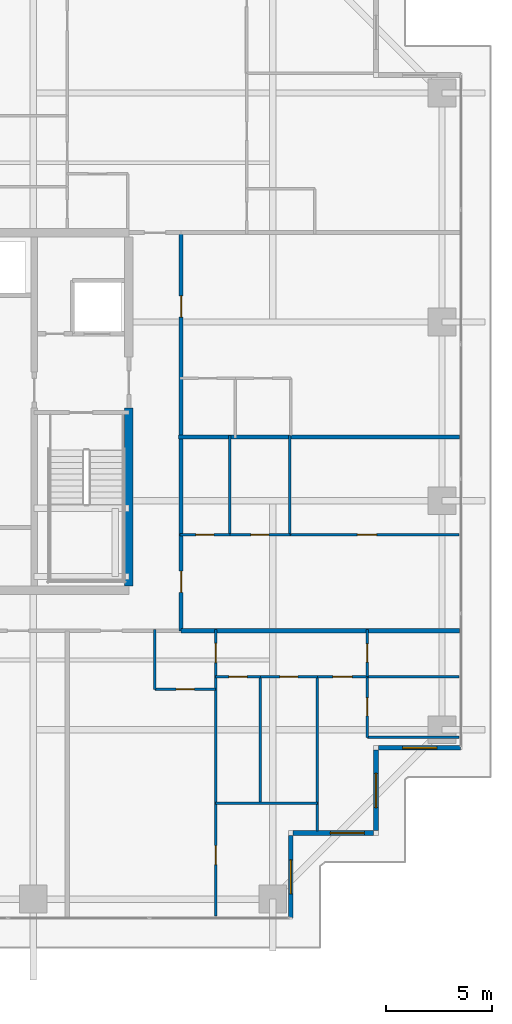
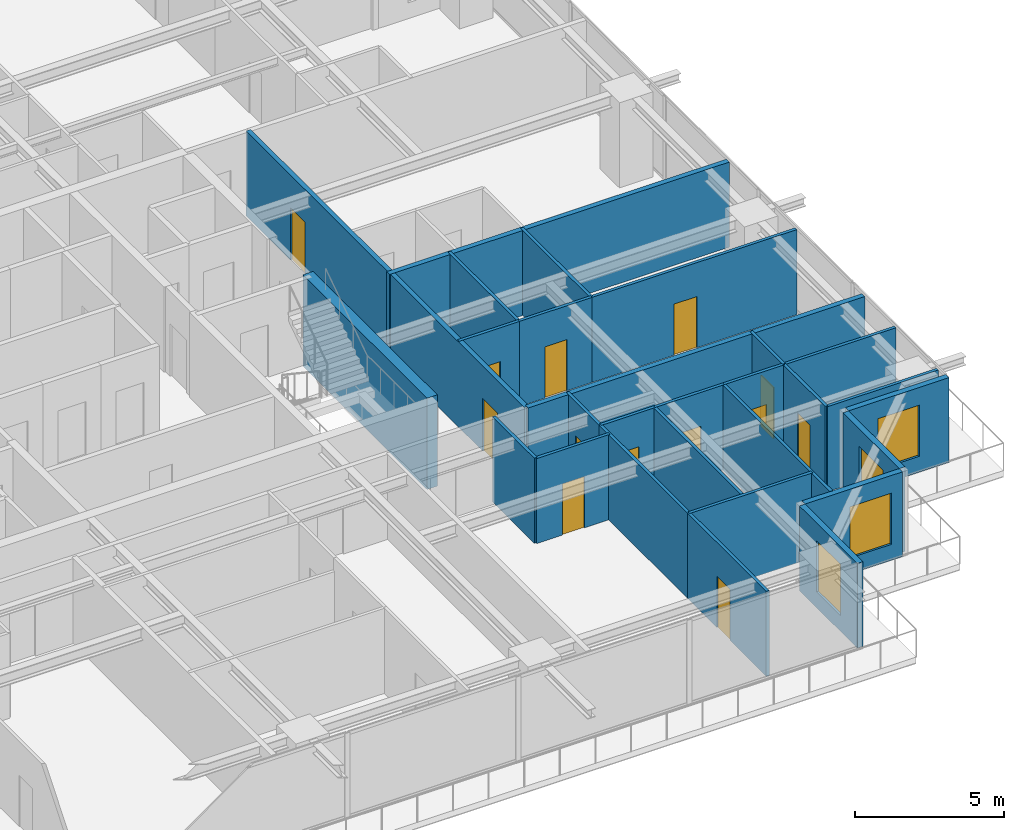
# One storey, part 29 of 38: 28 walls, 13 doors, 4 windows, 17 openings.
"""IFC4 building model written with IfcOpenShell, lengths in metres."""

from ifc_helpers import new_model, si_unit, direction, frame, frame_2d, origin, place, context, subcontext, project, spatial, rectangle, extrude, source, transform, mapped, material, layer, layer_set, type_object, element, fill, save


model = new_model("IFC4")

# Units and contexts
model_context = context("Model", 3, precision=1e-05, world=origin(), true_north=direction((0.0, 1.0)))
body_context = subcontext(model_context, "Body", "Model", "MODEL_VIEW")
ifc_project = project(units=[si_unit("LENGTHUNIT", "METRE"), si_unit("AREAUNIT", "SQUARE_METRE"), si_unit("VOLUMEUNIT", "CUBIC_METRE"), si_unit("PLANEANGLEUNIT", "RADIAN"), si_unit("MASSUNIT", "GRAM", prefix="KILO")], contexts=[model_context])

# Site, building, storey
site_placement = place(None, origin())
site = spatial("IfcSite", under=ifc_project, at=site_placement, CompositionType="ELEMENT")
building_placement = place(site_placement, origin())
building = spatial("IfcBuilding", under=site, at=building_placement, Name="Serunith Strait Residences", CompositionType="ELEMENT")
storey_placement = place(building_placement, frame((0.0, 0.0, 183.89990234375)))
storey = spatial("IfcBuildingStorey", under=building, at=storey_placement, Name="L46", CompositionType="ELEMENT", Elevation=183.89990234375)

# Wall, opening, window
ifc_material_1 = material(Name="Pale-Champagne Aluminium Insulated Panel", Category="aluminium")
ifc_layer_1 = layer(ifc_material_1, 0.219970703125, Name="Pale-Champagne Aluminium Insulated Panel")
ifc_layer_set_1 = layer_set([ifc_layer_1], Name="Pale-Champagne Aluminium Insulated Panel")
wall_type_1 = type_object("IfcWallType", Name="EW-ALUM-220", PredefinedType="ELEMENTEDWALL", material=ifc_layer_set_1)
wall_1_placement = place(storey_placement, frame((49.0, 1.39990234375, 0.0), z_axis=(0.0, 0.0, 1.0), x_axis=(0.0, 1.0, 0.0)))
wall_1 = element("IfcWall", 1, at=wall_1_placement, inside=storey, type_object=wall_type_1, Name="L46 Girih Serrated Corner Wall 02", PredefinedType="ELEMENTEDWALL", context=body_context, shape_type="SweptSolid", body=[
    extrude(rectangle(XDim=3.89013671875, YDim=0.219970703125, at=frame_2d((1.945068359375, 0.0))), origin(), (0.0, 0.0, 1.0), 3.47509765625),
])
opening_1_placement = place(wall_1_placement, frame((1.14501953125, 0.0, 0.64990234375)))
opening_1 = element("IfcOpeningElement", 2, at=opening_1_placement, cuts=wall_1, Name="Opening W-02", PredefinedType="OPENING", context=body_context, shape_type="SweptSolid", body=[
    extrude(rectangle(XDim=1.60009765625, YDim=2.10009765625, at=frame_2d((0.800048828125, 1.050048828125))), frame((0.0, 0.1201171875, 0.0), z_axis=(0.0, -1.0, 0.0), x_axis=(1.0, 0.0, 0.0)), (0.0, 0.0, 1.0), 0.239990234375),
])
ifc_material_2 = material(Name="Ceramic-Fritted Operable Aluminium Window Glass", Category="aluminium")
window_type = type_object("IfcWindowType", Name="WIN-C2", PartitioningType="DOUBLE_PANEL_VERTICAL", PredefinedType="WINDOW", material=ifc_material_2)
shared_shape_1 = source(origin(), body_context, "Body", "SweptSolid", [
    extrude(rectangle(XDim=1.60009765625, YDim=2.10009765625, at=frame_2d((0.800048828125, 1.050048828125))), frame((0.0, 0.030029296875, 0.0), z_axis=(0.0, -1.0, 0.0), x_axis=(1.0, 0.0, 0.0)), (0.0, 0.0, 1.0), 0.06005859375),
])
window_1_placement = place(opening_1_placement, origin())
window_1 = element("IfcWindow", 3, at=window_1_placement, inside=storey, type_object=window_type, Name="L46 Corner Operable Fritted Window 02", OverallHeight=2.10009765625, OverallWidth=1.60009765625, PartitioningType="SINGLE_PANEL", PredefinedType="WINDOW", context=body_context, shape_type="MappedRepresentation", body=[
    mapped(shared_shape_1, transform((0.0, 0.0, 0.0), scale=1.0)),
])
fill(opening_1, window_1)

wall_2_placement = place(storey_placement, frame((49.110107421875, 5.39990234375, 0.0), z_axis=(0.0, 0.0, 1.0), x_axis=(1.0, 0.0, 0.0)))
wall_2 = element("IfcWall", 4, at=wall_2_placement, inside=storey, type_object=wall_type_1, Name="L46 Girih Serrated Corner Wall 03", PredefinedType="ELEMENTEDWALL", context=body_context, shape_type="SweptSolid", body=[
    extrude(rectangle(XDim=3.77978515625, YDim=0.219970703125, at=frame_2d((1.889892578125, 0.0))), origin(), (0.0, 0.0, 1.0), 3.47509765625),
])
opening_2_placement = place(wall_2_placement, frame((1.743896484375, 0.0, 0.64990234375)))
opening_2 = element("IfcOpeningElement", 5, at=opening_2_placement, cuts=wall_2, Name="Opening W-02", PredefinedType="OPENING", context=body_context, shape_type="SweptSolid", body=[
    extrude(rectangle(XDim=1.60009765625, YDim=2.10009765625, at=frame_2d((0.800048828125, 1.050048828125))), frame((0.0, 0.1201171875, 0.0), z_axis=(0.0, -1.0, 0.0), x_axis=(1.0, 0.0, 0.0)), (0.0, 0.0, 1.0), 0.239990234375),
])
window_2_placement = place(opening_2_placement, origin())
window_2 = element("IfcWindow", 6, at=window_2_placement, inside=storey, type_object=window_type, Name="L46 Corner Operable Fritted Window 03", OverallHeight=2.10009765625, OverallWidth=1.60009765625, PartitioningType="SINGLE_PANEL", PredefinedType="WINDOW", context=body_context, shape_type="MappedRepresentation", body=[
    mapped(shared_shape_1, transform((0.0, 0.0, 0.0), scale=1.0)),
])
fill(opening_2, window_2)

wall_3_placement = place(storey_placement, frame((53.0, 5.510009765625, 0.0), z_axis=(0.0, 0.0, 1.0), x_axis=(0.0, 1.0, 0.0)))
wall_3 = element("IfcWall", 7, at=wall_3_placement, inside=storey, type_object=wall_type_1, Name="L46 Girih Serrated Corner Wall 04", PredefinedType="ELEMENTEDWALL", context=body_context, shape_type="SweptSolid", body=[
    extrude(rectangle(XDim=3.780029296875, YDim=0.219970703125, at=frame_2d((1.89013671875, 0.0))), origin(), (0.0, 0.0, 1.0), 3.47509765625),
])
opening_3_placement = place(wall_3_placement, frame((1.090087890625, 0.0, 0.64990234375)))
opening_3 = element("IfcOpeningElement", 8, at=opening_3_placement, cuts=wall_3, Name="Opening W-02", PredefinedType="OPENING", context=body_context, shape_type="SweptSolid", body=[
    extrude(rectangle(XDim=1.60009765625, YDim=2.10009765625, at=frame_2d((0.800048828125, 1.050048828125))), frame((0.0, 0.1201171875, 0.0), z_axis=(0.0, -1.0, 0.0), x_axis=(1.0, 0.0, 0.0)), (0.0, 0.0, 1.0), 0.239990234375),
])
window_3_placement = place(opening_3_placement, origin())
window_3 = element("IfcWindow", 9, at=window_3_placement, inside=storey, type_object=window_type, Name="L46 Corner Operable Fritted Window 04", OverallHeight=2.10009765625, OverallWidth=1.60009765625, PartitioningType="SINGLE_PANEL", PredefinedType="WINDOW", context=body_context, shape_type="MappedRepresentation", body=[
    mapped(shared_shape_1, transform((0.0, 0.0, 0.0), scale=1.0)),
])
fill(opening_3, window_3)

wall_4_placement = place(storey_placement, frame((53.110107421875, 9.39990234375, 0.0), z_axis=(0.0, 0.0, 1.0), x_axis=(1.0, 0.0, 0.0)))
wall_4 = element("IfcWall", 10, at=wall_4_placement, inside=storey, type_object=wall_type_1, Name="L46 Girih Serrated Corner Wall 05", PredefinedType="ELEMENTEDWALL", context=body_context, shape_type="SweptSolid", body=[
    extrude(rectangle(XDim=3.889892578125, YDim=0.219970703125, at=frame_2d((1.94482421875, 0.0))), origin(), (0.0, 0.0, 1.0), 3.47509765625),
])
opening_4_placement = place(wall_4_placement, frame((1.14501953125, 0.0, 0.64990234375)))
opening_4 = element("IfcOpeningElement", 11, at=opening_4_placement, cuts=wall_4, Name="Opening W-02", PredefinedType="OPENING", context=body_context, shape_type="SweptSolid", body=[
    extrude(rectangle(XDim=1.60009765625, YDim=2.10009765625, at=frame_2d((0.800048828125, 1.050048828125))), frame((0.0, 0.1201171875, 0.0), z_axis=(0.0, -1.0, 0.0), x_axis=(1.0, 0.0, 0.0)), (0.0, 0.0, 1.0), 0.239990234375),
])
window_4_placement = place(opening_4_placement, origin())
window_4 = element("IfcWindow", 12, at=window_4_placement, inside=storey, type_object=window_type, Name="L46 Corner Operable Fritted Window 05", OverallHeight=2.10009765625, OverallWidth=1.60009765625, PartitioningType="SINGLE_PANEL", PredefinedType="WINDOW", context=body_context, shape_type="MappedRepresentation", body=[
    mapped(shared_shape_1, transform((0.0, 0.0, 0.0), scale=1.0)),
])
fill(opening_4, window_4)

# Wall, openings, doors
ifc_material_3 = material(Name="Fire-rated acoustic gypsum partition")
ifc_layer_2 = layer(ifc_material_3, 0.179931640625, Name="Fire-rated acoustic gypsum partition")
ifc_layer_set_2 = layer_set([ifc_layer_2], Name="Fire-rated acoustic gypsum partition")
wall_type_2 = type_object("IfcWallType", Name="IW-CORR-180", PredefinedType="PARTITIONING", material=ifc_layer_set_2)
wall_5_placement = place(storey_placement, frame((43.85009765625, 14.89990234375, 0.0), z_axis=(0.0, 0.0, 1.0), x_axis=(0.0, 1.0, 0.0)))
wall_5 = element("IfcWall", 13, at=wall_5_placement, inside=storey, type_object=wall_type_2, Name="L46 Partition Wall 025", PredefinedType="PARTITIONING", context=body_context, shape_type="SweptSolid", body=[
    extrude(rectangle(XDim=18.7001953125, YDim=0.179931640625, at=frame_2d((9.35009765625, 0.0))), origin(), (0.0, 0.0, 1.0), 3.489990234375),
])
opening_5_placement = place(wall_5_placement, frame((1.804931640625, 0.0, 0.0)))
opening_5 = element("IfcOpeningElement", 14, at=opening_5_placement, cuts=wall_5, Name="Opening D-APT1000", PredefinedType="OPENING", context=body_context, shape_type="SweptSolid", body=[
    extrude(rectangle(XDim=1.0, YDim=2.14990234375, at=frame_2d((0.5, 1.074951171875))), frame((0.0, 0.10009765625, 0.0), z_axis=(0.0, -1.0, 0.0), x_axis=(1.0, 0.0, 0.0)), (0.0, 0.0, 1.0), 0.199951171875),
])
opening_6_placement = place(wall_5_placement, frame((14.72607421875, 0.0, 0.0)))
opening_6 = element("IfcOpeningElement", 15, at=opening_6_placement, cuts=wall_5, Name="Opening D-APT1000", PredefinedType="OPENING", context=body_context, shape_type="SweptSolid", body=[
    extrude(rectangle(XDim=1.0, YDim=2.14990234375, at=frame_2d((0.5, 1.074951171875))), frame((0.0, 0.10009765625, 0.0), z_axis=(0.0, -1.0, 0.0), x_axis=(1.0, 0.0, 0.0)), (0.0, 0.0, 1.0), 0.199951171875),
])
ifc_material_4 = material(Name="Solid timber engineered fire door", Category="wood")
door_type_1 = type_object("IfcDoorType", Name="ID-APT-1000", OperationType="NOTDEFINED", PredefinedType="DOOR", material=ifc_material_4)
shared_shape_2 = source(origin(), body_context, "Body", "SweptSolid", [
    extrude(rectangle(XDim=1.0, YDim=2.14990234375, at=frame_2d((0.5, 1.074951171875))), frame((0.0, 0.02490234375, 0.0), z_axis=(0.0, -1.0, 0.0), x_axis=(1.0, 0.0, 0.0)), (0.0, 0.0, 1.0), 0.050048828125),
])
door_1_placement = place(opening_5_placement, origin())
door_1 = element("IfcDoor", 16, at=door_1_placement, inside=storey, type_object=door_type_1, Name="L46 Unit 07 Entrance Door", OperationType="SINGLE_SWING_LEFT", OverallHeight=2.14990234375, OverallWidth=1.0, PredefinedType="DOOR", context=body_context, shape_type="MappedRepresentation", body=[
    mapped(shared_shape_2, transform((0.0, 0.0, 0.0), scale=1.0)),
])
fill(opening_5, door_1)
door_2_placement = place(opening_6_placement, origin())
door_2 = element("IfcDoor", 17, at=door_2_placement, inside=storey, type_object=door_type_1, Name="L46 Unit 08 Entrance Door", OperationType="SINGLE_SWING_RIGHT", OverallHeight=2.14990234375, OverallWidth=1.0, PredefinedType="DOOR", context=body_context, shape_type="MappedRepresentation", body=[
    mapped(shared_shape_2, transform((0.0, 0.0, 0.0), scale=1.0)),
])
fill(opening_6, door_2)

# Wall, opening, door
ifc_material_5 = material(Name="Lightweight steel-stud gypsum partition", Category="steel")
ifc_layer_3 = layer(ifc_material_5, 0.1201171875, Name="Lightweight steel-stud gypsum partition")
ifc_layer_set_3 = layer_set([ifc_layer_3], Name="Lightweight steel-stud gypsum partition")
wall_type_3 = type_object("IfcWallType", Name="IW-PART-120", PredefinedType="PARTITIONING", material=ifc_layer_set_3)
wall_6_placement = place(storey_placement, frame((42.6201171875, 12.14990234375, 0.0), z_axis=(0.0, 0.0, 1.0), x_axis=(1.0, 0.0, 0.0)))
wall_6 = element("IfcWall", 18, at=wall_6_placement, inside=storey, type_object=wall_type_3, Name="L46 Partition Wall 050", PredefinedType="PARTITIONING", context=body_context, shape_type="SweptSolid", body=[
    extrude(rectangle(XDim=2.849853515625, YDim=0.1201171875, at=frame_2d((1.4248046875, 0.0))), origin(), (0.0, 0.0, 1.0), 3.489990234375),
])
opening_7_placement = place(wall_6_placement, frame((1.0, 0.0, 0.0)))
opening_7 = element("IfcOpeningElement", 19, at=opening_7_placement, cuts=wall_6, Name="Opening D-RM850", PredefinedType="OPENING", context=body_context, shape_type="SweptSolid", body=[
    extrude(rectangle(XDim=0.85009765625, YDim=2.10009765625, at=frame_2d((0.425048828125, 1.050048828125))), frame((0.0, 0.070068359375, 0.0), z_axis=(0.0, -1.0, 0.0), x_axis=(1.0, 0.0, 0.0)), (0.0, 0.0, 1.0), 0.14013671875),
])
ifc_material_6 = material(Name="Engineered timber flush study and kitchen door", Category="wood")
door_type_2 = type_object("IfcDoorType", Name="ID-ROOM-850", OperationType="NOTDEFINED", PredefinedType="DOOR", material=ifc_material_6)
shared_shape_3 = source(origin(), body_context, "Body", "SweptSolid", [
    extrude(rectangle(XDim=0.85009765625, YDim=2.10009765625, at=frame_2d((0.425048828125, 1.050048828125))), frame((0.0, 0.02490234375, 0.0), z_axis=(0.0, -1.0, 0.0), x_axis=(1.0, 0.0, 0.0)), (0.0, 0.0, 1.0), 0.050048828125),
])
door_3_placement = place(opening_7_placement, origin())
door_3 = element("IfcDoor", 20, at=door_3_placement, inside=storey, type_object=door_type_2, Name="L46 Kitchen 4603 Door", OperationType="SINGLE_SWING_LEFT", OverallHeight=2.10009765625, OverallWidth=0.85009765625, PredefinedType="DOOR", context=body_context, shape_type="MappedRepresentation", body=[
    mapped(shared_shape_3, transform((0.0, 0.0, 0.0), scale=1.0)),
])
fill(opening_7, door_3)

# Wall
wall_7_placement = place(storey_placement, frame((42.6201171875, 12.14990234375, 0.0), z_axis=(0.0, 0.0, 1.0), x_axis=(0.0, 1.0, 0.0)))
element("IfcWall", 21, at=wall_7_placement, inside=storey, type_object=wall_type_3, Name="L46 Partition Wall 051", PredefinedType="PARTITIONING", context=body_context, shape_type="SweptSolid", body=[
    extrude(rectangle(XDim=2.81005859375, YDim=0.1201171875, at=frame_2d((1.405029296875, 0.0))), origin(), (0.0, 0.0, 1.0), 3.489990234375),
])

# Wall, opening, door
wall_8_placement = place(storey_placement, frame((45.469970703125, 12.75, 0.0), z_axis=(0.0, 0.0, 1.0), x_axis=(0.0, 1.0, 0.0)))
wall_8 = element("IfcWall", 22, at=wall_8_placement, inside=storey, type_object=wall_type_3, Name="L46 Partition Wall 052", PredefinedType="PARTITIONING", context=body_context, shape_type="SweptSolid", body=[
    extrude(rectangle(XDim=2.2099609375, YDim=0.1201171875, at=frame_2d((1.10498046875, 0.0))), origin(), (0.0, 0.0, 1.0), 3.489990234375),
])
opening_8_placement = place(wall_8_placement, frame((0.655029296875, 0.0, 0.0)))
opening_8 = element("IfcOpeningElement", 23, at=opening_8_placement, cuts=wall_8, Name="Opening D-RM900", PredefinedType="OPENING", context=body_context, shape_type="SweptSolid", body=[
    extrude(rectangle(XDim=0.89990234375, YDim=2.10009765625, at=frame_2d((0.449951171875, 1.050048828125))), frame((0.0, 0.070068359375, 0.0), z_axis=(0.0, -1.0, 0.0), x_axis=(1.0, 0.0, 0.0)), (0.0, 0.0, 1.0), 0.14013671875),
])
ifc_material_7 = material(Name="Engineered timber flush bedroom door", Category="wood")
door_type_3 = type_object("IfcDoorType", Name="ID-ROOM-900", OperationType="NOTDEFINED", PredefinedType="DOOR", material=ifc_material_7)
shared_shape_4 = source(origin(), body_context, "Body", "SweptSolid", [
    extrude(rectangle(XDim=0.89990234375, YDim=2.10009765625, at=frame_2d((0.449951171875, 1.050048828125))), frame((0.0, 0.02490234375, 0.0), z_axis=(0.0, -1.0, 0.0), x_axis=(1.0, 0.0, 0.0)), (0.0, 0.0, 1.0), 0.050048828125),
])
door_4_placement = place(opening_8_placement, origin())
door_4 = element("IfcDoor", 24, at=door_4_placement, inside=storey, type_object=door_type_3, Name="L46 Hall E 4603 Door", OperationType="SINGLE_SWING_RIGHT", OverallHeight=2.10009765625, OverallWidth=0.89990234375, PredefinedType="DOOR", context=body_context, shape_type="MappedRepresentation", body=[
    mapped(shared_shape_4, transform((0.0, 0.0, 0.0), scale=1.0)),
])
fill(opening_8, door_4)

wall_9_placement = place(storey_placement, frame((45.469970703125, 1.4951171875, 0.0), z_axis=(0.0, 0.0, 1.0), x_axis=(0.0, 1.0, 0.0)))
wall_9 = element("IfcWall", 25, at=wall_9_placement, inside=storey, type_object=wall_type_3, Name="L46 Partition Wall 053", PredefinedType="PARTITIONING", context=body_context, shape_type="SweptSolid", body=[
    extrude(rectangle(XDim=5.2978515625, YDim=0.1201171875, at=frame_2d((2.64892578125, 0.0))), origin(), (0.0, 0.0, 1.0), 3.489990234375),
])
opening_9_placement = place(wall_9_placement, frame((2.4189453125, 0.0, 0.0)))
opening_9 = element("IfcOpeningElement", 26, at=opening_9_placement, cuts=wall_9, Name="Opening D-RM900", PredefinedType="OPENING", context=body_context, shape_type="SweptSolid", body=[
    extrude(rectangle(XDim=0.89990234375, YDim=2.10009765625, at=frame_2d((0.449951171875, 1.050048828125))), frame((0.0, 0.070068359375, 0.0), z_axis=(0.0, -1.0, 0.0), x_axis=(1.0, 0.0, 0.0)), (0.0, 0.0, 1.0), 0.14013671875),
])
door_5_placement = place(opening_9_placement, origin())
door_5 = element("IfcDoor", 27, at=door_5_placement, inside=storey, type_object=door_type_3, Name="L46 Study 1 4603 Door", OperationType="SINGLE_SWING_LEFT", OverallHeight=2.10009765625, OverallWidth=0.89990234375, PredefinedType="DOOR", context=body_context, shape_type="MappedRepresentation", body=[
    mapped(shared_shape_4, transform((0.0, 0.0, 0.0), scale=1.0)),
])
fill(opening_9, door_5)

# Walls
wall_10_placement = place(storey_placement, frame((45.469970703125, 6.794921875, 0.0), z_axis=(0.0, 0.0, 1.0), x_axis=(0.0, 1.0, 0.0)))
element("IfcWall", 28, at=wall_10_placement, inside=storey, type_object=wall_type_3, Name="L46 Partition Wall 054", PredefinedType="PARTITIONING", context=body_context, shape_type="SweptSolid", body=[
    extrude(rectangle(XDim=5.953125, YDim=0.1201171875, at=frame_2d((2.9765625, 0.0))), origin(), (0.0, 0.0, 1.0), 3.489990234375),
])
wall_11_placement = place(storey_placement, frame((45.469970703125, 6.79296875, 0.0), z_axis=(0.0, 0.0, 1.0), x_axis=(1.0, 0.0, 0.0)))
element("IfcWall", 29, at=wall_11_placement, inside=storey, type_object=wall_type_3, Name="L46 Partition Wall 055", PredefinedType="PARTITIONING", context=body_context, shape_type="SweptSolid", body=[
    extrude(rectangle(XDim=4.780029296875, YDim=0.1201171875, at=frame_2d((2.39013671875, 0.0))), origin(), (0.0, 0.0, 1.0), 3.489990234375),
])
wall_12_placement = place(storey_placement, frame((50.25, 5.4951171875, 0.0), z_axis=(0.0, 0.0, 1.0), x_axis=(0.0, 1.0, 0.0)))
element("IfcWall", 30, at=wall_12_placement, inside=storey, type_object=wall_type_3, Name="L46 Partition Wall 056", PredefinedType="PARTITIONING", context=body_context, shape_type="SweptSolid", body=[
    extrude(rectangle(XDim=7.2548828125, YDim=0.1201171875, at=frame_2d((3.62744140625, 0.0))), origin(), (0.0, 0.0, 1.0), 3.489990234375),
])
wall_13_placement = place(storey_placement, frame((47.570068359375, 6.79296875, 0.0), z_axis=(0.0, 0.0, 1.0), x_axis=(0.0, 1.0, 0.0)))
element("IfcWall", 31, at=wall_13_placement, inside=storey, type_object=wall_type_3, Name="L46 Partition Wall 057", PredefinedType="PARTITIONING", context=body_context, shape_type="SweptSolid", body=[
    extrude(rectangle(XDim=5.95703125, YDim=0.1201171875, at=frame_2d((2.978515625, 0.0))), origin(), (0.0, 0.0, 1.0), 3.489990234375),
])

# Wall, opening, door
wall_14_placement = place(storey_placement, frame((45.469970703125, 12.75, 0.0), z_axis=(0.0, 0.0, 1.0), x_axis=(1.0, 0.0, 0.0)))
wall_14 = element("IfcWall", 32, at=wall_14_placement, inside=storey, type_object=wall_type_3, Name="L46 Partition Wall 058", PredefinedType="PARTITIONING", context=body_context, shape_type="SweptSolid", body=[
    extrude(rectangle(XDim=2.10009765625, YDim=0.1201171875, at=frame_2d((1.050048828125, 0.0))), origin(), (0.0, 0.0, 1.0), 3.489990234375),
])
opening_10_placement = place(wall_14_placement, frame((0.625, 0.0, 0.0)))
opening_10 = element("IfcOpeningElement", 33, at=opening_10_placement, cuts=wall_14, Name="Opening D-BTH850", PredefinedType="OPENING", context=body_context, shape_type="SweptSolid", body=[
    extrude(rectangle(XDim=0.85009765625, YDim=2.10009765625, at=frame_2d((0.425048828125, 1.050048828125))), frame((0.0, 0.070068359375, 0.0), z_axis=(0.0, -1.0, 0.0), x_axis=(1.0, 0.0, 0.0)), (0.0, 0.0, 1.0), 0.14013671875),
])
ifc_material_8 = material(Name="Moisture-resistant timber bathroom door", Category="wood")
door_type_4 = type_object("IfcDoorType", Name="ID-BATH-850", OperationType="NOTDEFINED", PredefinedType="DOOR", material=ifc_material_8)
door_6_placement = place(opening_10_placement, origin())
door_6 = element("IfcDoor", 34, at=door_6_placement, inside=storey, type_object=door_type_4, Name="L46 Bathroom 4603 Door", OperationType="SINGLE_SWING_RIGHT", OverallHeight=2.10009765625, OverallWidth=0.85009765625, PredefinedType="DOOR", context=body_context, shape_type="MappedRepresentation", body=[
    mapped(shared_shape_3, transform((0.0, 0.0, 0.0), scale=1.0)),
])
fill(opening_10, door_6)

wall_15_placement = place(storey_placement, frame((47.572021484375, 12.75, 0.0), z_axis=(0.0, 0.0, 1.0), x_axis=(1.0, 0.0, 0.0)))
wall_15 = element("IfcWall", 35, at=wall_15_placement, inside=storey, type_object=wall_type_3, Name="L46 Partition Wall 059", PredefinedType="PARTITIONING", context=body_context, shape_type="SweptSolid", body=[
    extrude(rectangle(XDim=2.677978515625, YDim=0.1201171875, at=frame_2d((1.3388671875, 0.0))), origin(), (0.0, 0.0, 1.0), 3.489990234375),
])
opening_11_placement = place(wall_15_placement, frame((0.9140625, 0.0, 0.0)))
opening_11 = element("IfcOpeningElement", 36, at=opening_11_placement, cuts=wall_15, Name="Opening D-RM850", PredefinedType="OPENING", context=body_context, shape_type="SweptSolid", body=[
    extrude(rectangle(XDim=0.85009765625, YDim=2.10009765625, at=frame_2d((0.425048828125, 1.050048828125))), frame((0.0, 0.070068359375, 0.0), z_axis=(0.0, -1.0, 0.0), x_axis=(1.0, 0.0, 0.0)), (0.0, 0.0, 1.0), 0.14013671875),
])
door_7_placement = place(opening_11_placement, origin())
door_7 = element("IfcDoor", 37, at=door_7_placement, inside=storey, type_object=door_type_2, Name="L46 Study 4603 Door", OperationType="SINGLE_SWING_LEFT", OverallHeight=2.10009765625, OverallWidth=0.85009765625, PredefinedType="DOOR", context=body_context, shape_type="MappedRepresentation", body=[
    mapped(shared_shape_3, transform((0.0, 0.0, 0.0), scale=1.0)),
])
fill(opening_11, door_7)

wall_16_placement = place(storey_placement, frame((50.251953125, 12.75, 0.0), z_axis=(0.0, 0.0, 1.0), x_axis=(1.0, 0.0, 0.0)))
wall_16 = element("IfcWall", 38, at=wall_16_placement, inside=storey, type_object=wall_type_3, Name="L46 Partition Wall 060", PredefinedType="PARTITIONING", context=body_context, shape_type="SweptSolid", body=[
    extrude(rectangle(XDim=2.34814453125, YDim=0.1201171875, at=frame_2d((1.174072265625, 0.0))), origin(), (0.0, 0.0, 1.0), 3.489990234375),
])
opening_12_placement = place(wall_16_placement, frame((0.72412109375, 0.0, 0.0)))
opening_12 = element("IfcOpeningElement", 39, at=opening_12_placement, cuts=wall_16, Name="Opening D-RM900", PredefinedType="OPENING", context=body_context, shape_type="SweptSolid", body=[
    extrude(rectangle(XDim=0.89990234375, YDim=2.10009765625, at=frame_2d((0.449951171875, 1.050048828125))), frame((0.0, 0.070068359375, 0.0), z_axis=(0.0, -1.0, 0.0), x_axis=(1.0, 0.0, 0.0)), (0.0, 0.0, 1.0), 0.14013671875),
])
door_8_placement = place(opening_12_placement, origin())
door_8 = element("IfcDoor", 40, at=door_8_placement, inside=storey, type_object=door_type_3, Name="L46 Master Bedroom E 4603 Door", OperationType="SINGLE_SWING_RIGHT", OverallHeight=2.10009765625, OverallWidth=0.89990234375, PredefinedType="DOOR", context=body_context, shape_type="MappedRepresentation", body=[
    mapped(shared_shape_4, transform((0.0, 0.0, 0.0), scale=1.0)),
])
fill(opening_12, door_8)

# Walls
wall_17_placement = place(storey_placement, frame((52.60009765625, 9.89501953125, 0.0), z_axis=(0.0, 0.0, 1.0), x_axis=(1.0, 0.0, 0.0)))
element("IfcWall", 41, at=wall_17_placement, inside=storey, type_object=wall_type_3, Name="L46 Partition Wall 061", PredefinedType="PARTITIONING", context=body_context, shape_type="SweptSolid", body=[
    extrude(rectangle(XDim=4.304931640625, YDim=0.1201171875, at=frame_2d((2.15234375, 0.0))), origin(), (0.0, 0.0, 1.0), 3.489990234375),
])
wall_18_placement = place(storey_placement, frame((52.60205078125, 12.75, 0.0), z_axis=(0.0, 0.0, 1.0), x_axis=(1.0, 0.0, 0.0)))
element("IfcWall", 42, at=wall_18_placement, inside=storey, type_object=wall_type_3, Name="L46 Partition Wall 062", PredefinedType="PARTITIONING", context=body_context, shape_type="SweptSolid", body=[
    extrude(rectangle(XDim=4.302978515625, YDim=0.1201171875, at=frame_2d((2.1513671875, 0.0))), origin(), (0.0, 0.0, 1.0), 3.489990234375),
])

# Wall, opening, door
wall_19_placement = place(storey_placement, frame((52.60009765625, 9.89501953125, 0.0), z_axis=(0.0, 0.0, 1.0), x_axis=(0.0, 1.0, 0.0)))
wall_19 = element("IfcWall", 43, at=wall_19_placement, inside=storey, type_object=wall_type_3, Name="L46 Partition Wall 063", PredefinedType="PARTITIONING", context=body_context, shape_type="SweptSolid", body=[
    extrude(rectangle(XDim=2.85498046875, YDim=0.1201171875, at=frame_2d((1.427490234375, 0.0))), origin(), (0.0, 0.0, 1.0), 3.489990234375),
])
opening_13_placement = place(wall_19_placement, frame((1.0029296875, 0.0, 0.0)))
opening_13 = element("IfcOpeningElement", 44, at=opening_13_placement, cuts=wall_19, Name="Opening D-BTH850", PredefinedType="OPENING", context=body_context, shape_type="SweptSolid", body=[
    extrude(rectangle(XDim=0.85009765625, YDim=2.10009765625, at=frame_2d((0.425048828125, 1.050048828125))), frame((0.0, 0.070068359375, 0.0), z_axis=(0.0, -1.0, 0.0), x_axis=(1.0, 0.0, 0.0)), (0.0, 0.0, 1.0), 0.14013671875),
])
door_9_placement = place(opening_13_placement, origin())
door_9 = element("IfcDoor", 45, at=door_9_placement, inside=storey, type_object=door_type_4, Name="L46 En-suite Bathroom E 4603 Door", OperationType="SINGLE_SWING_LEFT", OverallHeight=2.10009765625, OverallWidth=0.85009765625, PredefinedType="DOOR", context=body_context, shape_type="MappedRepresentation", body=[
    mapped(shared_shape_3, transform((0.0, 0.0, 0.0), scale=1.0)),
])
fill(opening_13, door_9)

wall_20_placement = place(storey_placement, frame((52.60009765625, 12.751953125, 0.0), z_axis=(0.0, 0.0, 1.0), x_axis=(0.0, 1.0, 0.0)))
wall_20 = element("IfcWall", 46, at=wall_20_placement, inside=storey, type_object=wall_type_3, Name="L46 Partition Wall 064", PredefinedType="PARTITIONING", context=body_context, shape_type="SweptSolid", body=[
    extrude(rectangle(XDim=2.2080078125, YDim=0.1201171875, at=frame_2d((1.10400390625, 0.0))), origin(), (0.0, 0.0, 1.0), 3.489990234375),
])
opening_14_placement = place(wall_20_placement, frame((0.678955078125, 0.0, 0.0)))
opening_14 = element("IfcOpeningElement", 47, at=opening_14_placement, cuts=wall_20, Name="Opening D-RM850", PredefinedType="OPENING", context=body_context, shape_type="SweptSolid", body=[
    extrude(rectangle(XDim=0.85009765625, YDim=2.10009765625, at=frame_2d((0.425048828125, 1.050048828125))), frame((0.0, 0.070068359375, 0.0), z_axis=(0.0, -1.0, 0.0), x_axis=(1.0, 0.0, 0.0)), (0.0, 0.0, 1.0), 0.14013671875),
])
door_10_placement = place(opening_14_placement, origin())
door_10 = element("IfcDoor", 48, at=door_10_placement, inside=storey, type_object=door_type_2, Name="L46 Wardrobe E 4603 Door", OperationType="SINGLE_SWING_RIGHT", OverallHeight=2.10009765625, OverallWidth=0.85009765625, PredefinedType="DOOR", context=body_context, shape_type="MappedRepresentation", body=[
    mapped(shared_shape_3, transform((0.0, 0.0, 0.0), scale=1.0)),
])
fill(opening_14, door_10)

wall_21_placement = place(storey_placement, frame((56.905029296875, 19.39990234375, 0.0), z_axis=(0.0, 0.0, 1.0), x_axis=(-1.0, 0.0, 0.0)))
wall_21 = element("IfcWall", 49, at=wall_21_placement, inside=storey, type_object=wall_type_3, Name="L46 Partition Wall 099", PredefinedType="PARTITIONING", context=body_context, shape_type="SweptSolid", body=[
    extrude(rectangle(XDim=7.950927734375, YDim=0.1201171875, at=frame_2d((3.9755859375, 0.0))), origin(), (0.0, 0.0, 1.0), 3.489990234375),
])
opening_15_placement = place(wall_21_placement, frame((3.8779296875, 0.0, 0.0)))
opening_15 = element("IfcOpeningElement", 50, at=opening_15_placement, cuts=wall_21, Name="Opening D-RM900", PredefinedType="OPENING", context=body_context, shape_type="SweptSolid", body=[
    extrude(rectangle(XDim=0.89990234375, YDim=2.10009765625, at=frame_2d((0.449951171875, 1.050048828125))), frame((0.0, 0.070068359375, 0.0), z_axis=(0.0, -1.0, 0.0), x_axis=(1.0, 0.0, 0.0)), (0.0, 0.0, 1.0), 0.14013671875),
])
door_11_placement = place(opening_15_placement, origin())
door_11 = element("IfcDoor", 51, at=door_11_placement, inside=storey, type_object=door_type_3, Name="L46 Master Bedroom 1 4607 Door", OperationType="SINGLE_SWING_LEFT", OverallHeight=2.10009765625, OverallWidth=0.89990234375, PredefinedType="DOOR", context=body_context, shape_type="MappedRepresentation", body=[
    mapped(shared_shape_4, transform((0.0, 0.0, 0.0), scale=1.0)),
])
fill(opening_15, door_11)

# Walls
for number, where, z_axis, x_axis, name in (
    (52, (48.9541015625, 19.39990234375, 0.0), (0.0, 0.0, 1.0), (0.0, 1.0, 0.0), "L46 Partition Wall 100"),
    (53, (46.14306640625, 19.39990234375, 0.0), (0.0, 0.0, 1.0), (0.0, 1.0, 0.0), "L46 Partition Wall 101"),
):
    element("IfcWall", number, at=place(storey_placement, frame(where, z_axis=z_axis, x_axis=x_axis)), inside=storey, type_object=wall_type_3, Name=name, PredefinedType="PARTITIONING", context=body_context, shape_type="SweptSolid", body=[
        extrude(rectangle(XDim=4.66015625, YDim=0.1201171875, at=frame_2d((2.330078125, 0.0))), origin(), (0.0, 0.0, 1.0), 3.489990234375),
    ])

# Wall, opening, door
wall_22_placement = place(storey_placement, frame((48.951904296875, 19.39990234375, 0.0), z_axis=(0.0, 0.0, 1.0), x_axis=(-1.0, 0.0, 0.0)))
wall_22 = element("IfcWall", 54, at=wall_22_placement, inside=storey, type_object=wall_type_3, Name="L46 Partition Wall 102", PredefinedType="PARTITIONING", context=body_context, shape_type="SweptSolid", body=[
    extrude(rectangle(XDim=2.808837890625, YDim=0.1201171875, at=frame_2d((1.404296875, 0.0))), origin(), (0.0, 0.0, 1.0), 3.489990234375),
])
opening_16_placement = place(wall_22_placement, frame((0.97900390625, 0.0, 0.0)))
opening_16 = element("IfcOpeningElement", 55, at=opening_16_placement, cuts=wall_22, Name="Opening D-RM850", PredefinedType="OPENING", context=body_context, shape_type="SweptSolid", body=[
    extrude(rectangle(XDim=0.85009765625, YDim=2.10009765625, at=frame_2d((0.425048828125, 1.050048828125))), frame((0.0, 0.070068359375, 0.0), z_axis=(0.0, -1.0, 0.0), x_axis=(1.0, 0.0, 0.0)), (0.0, 0.0, 1.0), 0.14013671875),
])
door_12_placement = place(opening_16_placement, origin())
door_12 = element("IfcDoor", 56, at=door_12_placement, inside=storey, type_object=door_type_2, Name="L46 Kitchen 4607 Door", OperationType="SINGLE_SWING_RIGHT", OverallHeight=2.10009765625, OverallWidth=0.85009765625, PredefinedType="DOOR", context=body_context, shape_type="MappedRepresentation", body=[
    mapped(shared_shape_3, transform((0.0, 0.0, 0.0), scale=1.0)),
])
fill(opening_16, door_12)

wall_23_placement = place(storey_placement, frame((46.14111328125, 19.39990234375, 0.0), z_axis=(0.0, 0.0, 1.0), x_axis=(-1.0, 0.0, 0.0)))
wall_23 = element("IfcWall", 57, at=wall_23_placement, inside=storey, type_object=wall_type_3, Name="L46 Partition Wall 103", PredefinedType="PARTITIONING", context=body_context, shape_type="SweptSolid", body=[
    extrude(rectangle(XDim=2.35107421875, YDim=0.1201171875, at=frame_2d((1.175537109375, 0.0))), origin(), (0.0, 0.0, 1.0), 3.489990234375),
])
opening_17_placement = place(wall_23_placement, frame((0.75, 0.0, 0.0)))
opening_17 = element("IfcOpeningElement", 58, at=opening_17_placement, cuts=wall_23, Name="Opening D-BTH850", PredefinedType="OPENING", context=body_context, shape_type="SweptSolid", body=[
    extrude(rectangle(XDim=0.85009765625, YDim=2.10009765625, at=frame_2d((0.425048828125, 1.050048828125))), frame((0.0, 0.070068359375, 0.0), z_axis=(0.0, -1.0, 0.0), x_axis=(1.0, 0.0, 0.0)), (0.0, 0.0, 1.0), 0.14013671875),
])
door_13_placement = place(opening_17_placement, origin())
door_13 = element("IfcDoor", 59, at=door_13_placement, inside=storey, type_object=door_type_4, Name="L46 Bathroom 4607 Door", OperationType="SINGLE_SWING_LEFT", OverallHeight=2.10009765625, OverallWidth=0.85009765625, PredefinedType="DOOR", context=body_context, shape_type="MappedRepresentation", body=[
    mapped(shared_shape_3, transform((0.0, 0.0, 0.0), scale=1.0)),
])
fill(opening_17, door_13)

# Walls
ifc_material_9 = material(Name="Twin-stud acoustic gypsum board partition")
ifc_layer_4 = layer(ifc_material_9, 0.199951171875, Name="Twin-stud acoustic gypsum board partition")
ifc_layer_set_4 = layer_set([ifc_layer_4], Name="Twin-stud acoustic gypsum board partition")
wall_type_4 = type_object("IfcWallType", Name="IW-PARTY-200", PredefinedType="PARTITIONING", material=ifc_layer_set_4)
wall_24_placement = place(storey_placement, frame((43.72998046875, 24.0, 0.0), z_axis=(0.0, 0.0, 1.0), x_axis=(1.0, 0.0, 0.0)))
element("IfcWall", 60, at=wall_24_placement, inside=storey, type_object=wall_type_4, Name="L46 Partition Wall 018", PredefinedType="PARTITIONING", context=body_context, shape_type="SweptSolid", body=[
    extrude(rectangle(XDim=13.18798828125, YDim=0.199951171875, at=frame_2d((6.593994140625, 0.0))), origin(), (0.0, 0.0, 1.0), 3.489990234375),
])
wall_25_placement = place(storey_placement, frame((43.85009765625, 14.89990234375, 0.0), z_axis=(0.0, 0.0, 1.0), x_axis=(1.0, 0.0, 0.0)))
element("IfcWall", 61, at=wall_25_placement, inside=storey, type_object=wall_type_4, Name="L46 Partition Wall 020", PredefinedType="PARTITIONING", context=body_context, shape_type="SweptSolid", body=[
    extrude(rectangle(XDim=13.06787109375, YDim=0.199951171875, at=frame_2d((6.533935546875, 0.0))), origin(), (0.0, 0.0, 1.0), 3.489990234375),
])
ifc_material_10 = material(Name="Concrete C70/85", Category="concrete")
ifc_layer_5 = layer(ifc_material_10, 0.39990234375, Name="Concrete C70/85")
ifc_layer_set_5 = layer_set([ifc_layer_5], Name="Concrete C70/85")
wall_type_5 = type_object("IfcWallType", Name="SW-400-C70", PredefinedType="SHEAR", material=ifc_layer_set_5)
wall_26_placement = place(storey_placement, frame((41.39990234375, 17.0, -0.260009765625), z_axis=(0.0, 0.0, 1.0), x_axis=(0.0, 1.0, 0.0)))
element("IfcWall", 62, at=wall_26_placement, inside=storey, type_object=wall_type_5, Name="L46 Core East Shear Wall South Pier", PredefinedType="SHEAR", context=body_context, shape_type="SweptSolid", body=[
    extrude(rectangle(XDim=8.35009765625, YDim=0.39990234375, at=frame_2d((4.175048828125, 0.0))), origin(), (0.0, 0.0, 1.0), 3.748046875),
])

save(model, "model.ifc")
